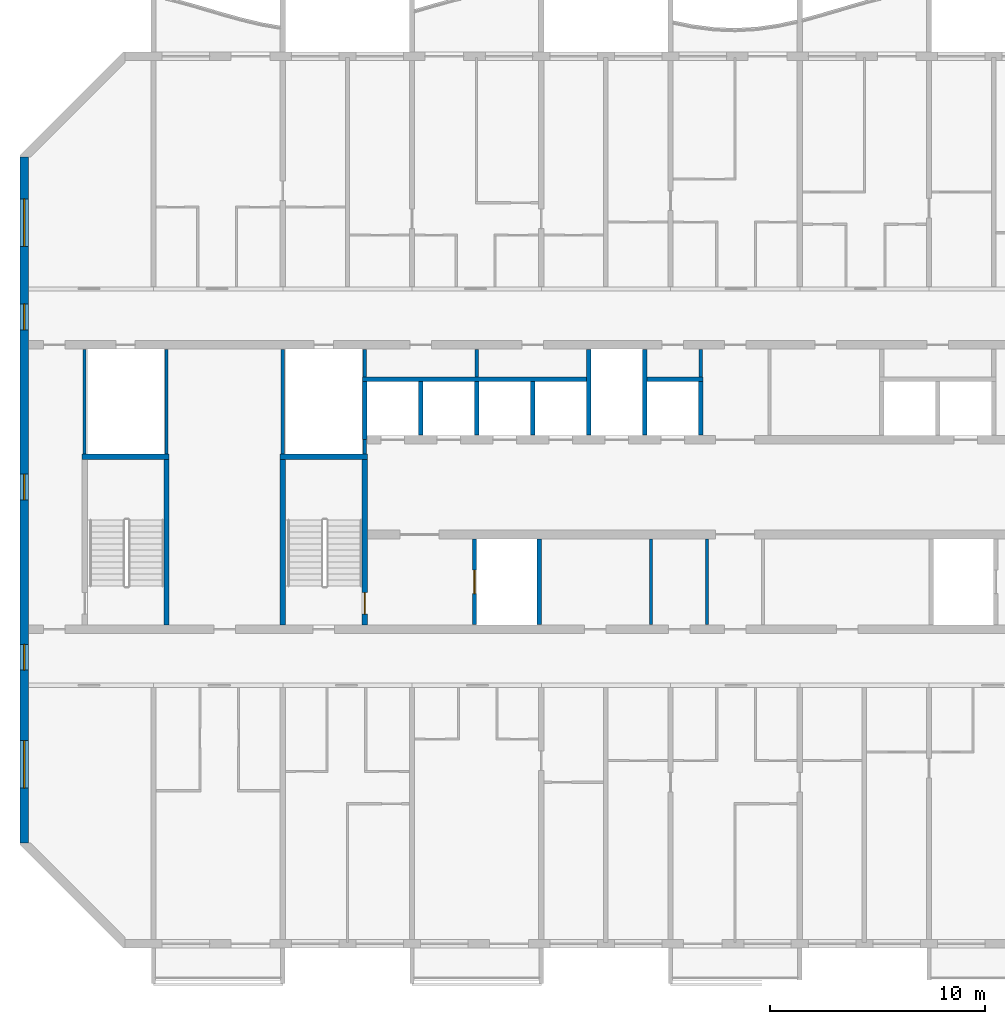
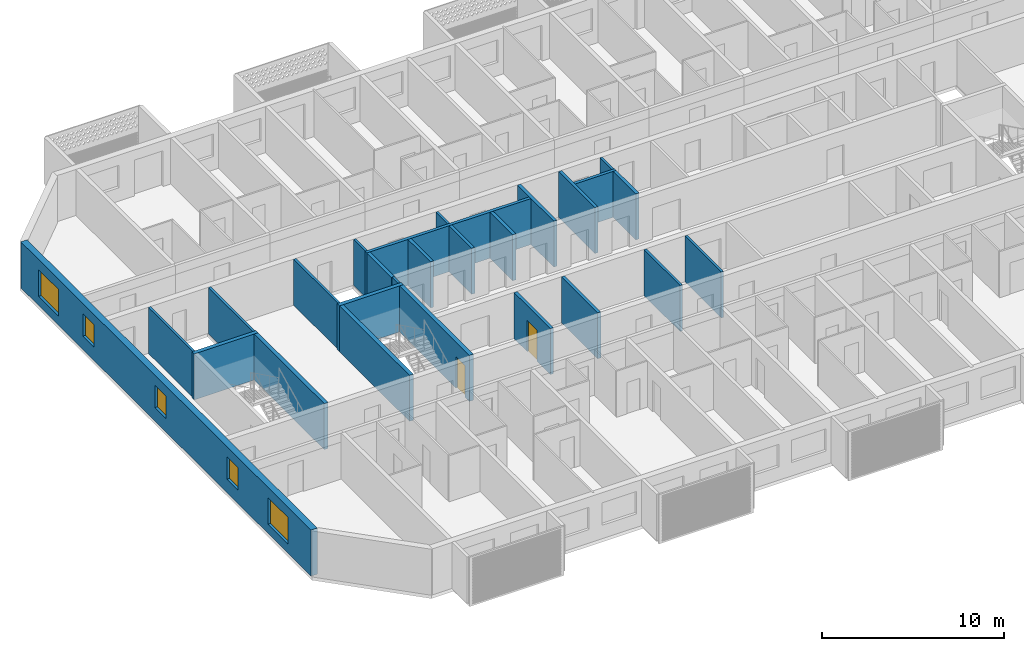
# One storey, part 3 of 26: 26 walls, 5 windows, 2 doors, 7 openings.
"""IFC4 building model written with IfcOpenShell, lengths in metres."""

from ifc_helpers import new_model, si_unit, direction, frame, frame_2d, origin, place, context, subcontext, project, spatial, rectangle, extrude, material, layer, layer_set, type_object, element, fill, save


model = new_model("IFC4")

# Units and contexts
model_context = context("Model", 3, precision=1e-05, world=origin(), true_north=direction((0.0, 1.0)))
body_context = subcontext(model_context, "Body", "Model", "MODEL_VIEW")
ifc_project = project(units=[si_unit("LENGTHUNIT", "METRE"), si_unit("AREAUNIT", "SQUARE_METRE"), si_unit("VOLUMEUNIT", "CUBIC_METRE"), si_unit("PLANEANGLEUNIT", "RADIAN"), si_unit("MASSUNIT", "GRAM", prefix="KILO")], contexts=[model_context])

# Site, building, storey
site_placement = place(None, origin())
site = spatial("IfcSite", under=ifc_project, at=site_placement, CompositionType="ELEMENT")
building_placement = place(site_placement, origin())
building = spatial("IfcBuilding", under=site, at=building_placement, Name="Poui Terraces", CompositionType="ELEMENT")
storey_placement = place(building_placement, frame((0.0, 0.0, 175.199951171875)))
storey = spatial("IfcBuildingStorey", under=building, at=storey_placement, Name="L48", CompositionType="ELEMENT", Elevation=175.199951171875)

# Walls
ifc_material_1 = material(Name="Fire-rated plasterboard wall")
ifc_layer_1 = layer(ifc_material_1, 0.14990234375)
ifc_layer_set_1 = layer_set([ifc_layer_1], Name="Fire-rated plasterboard wall")
wall_type_1 = type_object("IfcWallType", Name="CORRIDOR WALL 150", PredefinedType="PARTITIONING", material=ifc_layer_set_1)
wall_1_placement = place(storey_placement, frame((49.39990234375, 26.300048828125, 0.0), z_axis=(0.0, 0.0, 1.0), x_axis=(0.0, 1.0, 0.0)))
element("IfcWall", 1, at=wall_1_placement, inside=storey, type_object=wall_type_1, Name="CORRIDOR WALL 150", PredefinedType="PARTITIONING", context=body_context, shape_type="SweptSolid", body=[
    extrude(rectangle(XDim=1.2900390625, YDim=0.14990234375, at=frame_2d((0.64501953125, 0.0))), origin(), (0.0, 0.0, 1.0), 3.080078125),
])
wall_2_placement = place(storey_placement, frame((49.699951171875, 14.81005859375, 0.0), z_axis=(0.0, 0.0, 1.0), x_axis=(0.0, 1.0, 0.0)))
element("IfcWall", 2, at=wall_2_placement, inside=storey, type_object=wall_type_1, Name="CORRIDOR WALL 150", PredefinedType="PARTITIONING", context=body_context, shape_type="SweptSolid", body=[
    extrude(rectangle(XDim=3.97998046875, YDim=0.14990234375, at=frame_2d((1.989990234375, 0.0))), origin(), (0.0, 0.0, 1.0), 3.080078125),
])

# Wall, openings, windows
ifc_material_2 = material(Name="Concrete 50 MPa", Category="concrete")
ifc_layer_2 = layer(ifc_material_2, 0.39990234375)
ifc_layer_set_2 = layer_set([ifc_layer_2], Name="Concrete 50 MPa")
wall_type_2 = type_object("IfcWallType", Name="END WALL 400 50MPa", PredefinedType="SHEAR", material=ifc_layer_set_2)
wall_3_placement = place(storey_placement, frame((18.0, 4.682861328125, 0.0), z_axis=(0.0, 0.0, 1.0), x_axis=(0.0, 1.0, 0.0)))
wall_3 = element("IfcWall", 3, at=wall_3_placement, inside=storey, type_object=wall_type_2, Name="END WALL WEST", PredefinedType="SHEAR", context=body_context, shape_type="SweptSolid", body=[
    extrude(rectangle(XDim=31.834228515625, YDim=0.39990234375, at=frame_2d((15.9169921875, 0.0))), origin(), (0.0, 0.0, 1.0), 3.080078125),
])
opening_1_placement = place(wall_3_placement, frame((23.817138671875, 0.0, 0.89990234375)))
opening_1 = element("IfcOpeningElement", 4, at=opening_1_placement, cuts=wall_3, Name="Opening W2", PredefinedType="OPENING", context=body_context, shape_type="SweptSolid", body=[
    extrude(rectangle(XDim=1.199951171875, YDim=1.5, at=frame_2d((0.60009765625, 0.75))), frame((0.0, 0.2099609375, 0.0), z_axis=(0.0, -1.0, 0.0), x_axis=(1.0, 0.0, 0.0)), (0.0, 0.0, 1.0), 0.419921875),
])
opening_2_placement = place(wall_3_placement, frame((8.01708984375, 0.0, 0.89990234375)))
opening_2 = element("IfcOpeningElement", 5, at=opening_2_placement, cuts=wall_3, Name="Opening W2", PredefinedType="OPENING", context=body_context, shape_type="SweptSolid", body=[
    extrude(rectangle(XDim=1.199951171875, YDim=1.5, at=frame_2d((0.60009765625, 0.75))), frame((0.0, 0.2099609375, 0.0), z_axis=(0.0, -1.0, 0.0), x_axis=(1.0, 0.0, 0.0)), (0.0, 0.0, 1.0), 0.419921875),
])
opening_3_placement = place(wall_3_placement, frame((27.693603515625, 0.0, 0.60009765625)))
opening_3 = element("IfcOpeningElement", 6, at=opening_3_placement, cuts=wall_3, Name="Opening W3", PredefinedType="OPENING", context=body_context, shape_type="SweptSolid", body=[
    extrude(rectangle(XDim=2.199951171875, YDim=1.800048828125, at=frame_2d((1.10009765625, 0.89990234375))), frame((0.0, 0.2099609375, 0.0), z_axis=(0.0, -1.0, 0.0), x_axis=(1.0, 0.0, 0.0)), (0.0, 0.0, 1.0), 0.419921875),
])
opening_4_placement = place(wall_3_placement, frame((2.541015625, 0.0, 0.60009765625)))
opening_4 = element("IfcOpeningElement", 7, at=opening_4_placement, cuts=wall_3, Name="Opening W3", PredefinedType="OPENING", context=body_context, shape_type="SweptSolid", body=[
    extrude(rectangle(XDim=2.199951171875, YDim=1.800048828125, at=frame_2d((1.10009765625, 0.89990234375))), frame((0.0, 0.2099609375, 0.0), z_axis=(0.0, -1.0, 0.0), x_axis=(1.0, 0.0, 0.0)), (0.0, 0.0, 1.0), 0.419921875),
])
opening_5_placement = place(wall_3_placement, frame((15.917236328125, 0.0, 0.89990234375)))
opening_5 = element("IfcOpeningElement", 8, at=opening_5_placement, cuts=wall_3, Name="Opening W2", PredefinedType="OPENING", context=body_context, shape_type="SweptSolid", body=[
    extrude(rectangle(XDim=1.199951171875, YDim=1.5, at=frame_2d((0.60009765625, 0.75))), frame((0.0, 0.2099609375, 0.0), z_axis=(0.0, -1.0, 0.0), x_axis=(1.0, 0.0, 0.0)), (0.0, 0.0, 1.0), 0.419921875),
])
ifc_material_3 = material(Name="Clear glass in aluminium frame", Category="aluminium")
window_type_1 = type_object("IfcWindowType", Name="WINDOW 1200X1500", PartitioningType="SINGLE_PANEL", PredefinedType="WINDOW", material=ifc_material_3)
window_1_placement = place(opening_1_placement, origin())
window_1 = element("IfcWindow", 9, at=window_1_placement, inside=storey, type_object=window_type_1, Name="W2 WINDOW", OverallHeight=1.5, OverallWidth=1.199951171875, PartitioningType="SINGLE_PANEL", PredefinedType="WINDOW", context=body_context, shape_type="SweptSolid", body=[
    extrude(rectangle(XDim=1.199951171875, YDim=1.5, at=frame_2d((0.60009765625, 0.75))), frame((0.0, 0.030029296875, 0.0), z_axis=(0.0, -1.0, 0.0), x_axis=(1.0, 0.0, 0.0)), (0.0, 0.0, 1.0), 0.06005859375),
])
fill(opening_1, window_1)
window_2_placement = place(opening_2_placement, origin())
window_2 = element("IfcWindow", 10, at=window_2_placement, inside=storey, type_object=window_type_1, Name="W2 WINDOW", OverallHeight=1.5, OverallWidth=1.199951171875, PartitioningType="SINGLE_PANEL", PredefinedType="WINDOW", context=body_context, shape_type="SweptSolid", body=[
    extrude(rectangle(XDim=1.199951171875, YDim=1.5, at=frame_2d((0.60009765625, 0.75))), frame((0.0, 0.030029296875, 0.0), z_axis=(0.0, -1.0, 0.0), x_axis=(1.0, 0.0, 0.0)), (0.0, 0.0, 1.0), 0.06005859375),
])
fill(opening_2, window_2)
window_3_placement = place(opening_5_placement, origin())
window_3 = element("IfcWindow", 11, at=window_3_placement, inside=storey, type_object=window_type_1, Name="W2 WINDOW", OverallHeight=1.5, OverallWidth=1.199951171875, PartitioningType="SINGLE_PANEL", PredefinedType="WINDOW", context=body_context, shape_type="SweptSolid", body=[
    extrude(rectangle(XDim=1.199951171875, YDim=1.5, at=frame_2d((0.60009765625, 0.75))), frame((0.0, 0.030029296875, 0.0), z_axis=(0.0, -1.0, 0.0), x_axis=(1.0, 0.0, 0.0)), (0.0, 0.0, 1.0), 0.06005859375),
])
fill(opening_5, window_3)
window_type_2 = type_object("IfcWindowType", Name="WINDOW 2200X1800", PartitioningType="DOUBLE_PANEL_HORIZONTAL", PredefinedType="WINDOW", material=ifc_material_3)
window_4_placement = place(opening_3_placement, origin())
window_4 = element("IfcWindow", 12, at=window_4_placement, inside=storey, type_object=window_type_2, Name="W3 WINDOW", OverallHeight=1.800048828125, OverallWidth=2.199951171875, PartitioningType="DOUBLE_PANEL_HORIZONTAL", PredefinedType="WINDOW", context=body_context, shape_type="SweptSolid", body=[
    extrude(rectangle(XDim=2.199951171875, YDim=1.800048828125, at=frame_2d((1.10009765625, 0.89990234375))), frame((0.0, 0.030029296875, 0.0), z_axis=(0.0, -1.0, 0.0), x_axis=(1.0, 0.0, 0.0)), (0.0, 0.0, 1.0), 0.06005859375),
])
fill(opening_3, window_4)
window_5_placement = place(opening_4_placement, origin())
window_5 = element("IfcWindow", 13, at=window_5_placement, inside=storey, type_object=window_type_2, Name="W3 WINDOW", OverallHeight=1.800048828125, OverallWidth=2.199951171875, PartitioningType="DOUBLE_PANEL_HORIZONTAL", PredefinedType="WINDOW", context=body_context, shape_type="SweptSolid", body=[
    extrude(rectangle(XDim=2.199951171875, YDim=1.800048828125, at=frame_2d((1.10009765625, 0.89990234375))), frame((0.0, 0.030029296875, 0.0), z_axis=(0.0, -1.0, 0.0), x_axis=(1.0, 0.0, 0.0)), (0.0, 0.0, 1.0), 0.06005859375),
])
fill(opening_4, window_5)

# Walls
ifc_material_4 = material(Name="Plasterboard partition")
ifc_layer_3 = layer(ifc_material_4, 0.14990234375)
ifc_layer_set_3 = layer_set([ifc_layer_3], Name="Plasterboard partition")
wall_type_3 = type_object("IfcWallType", Name="PARTITION WALL 150", PredefinedType="PARTITIONING", material=ifc_layer_set_3)
wall_4_placement = place(storey_placement, frame((39.0, 26.300048828125, 0.0), z_axis=(0.0, 0.0, 1.0), x_axis=(0.0, 1.0, 0.0)))
element("IfcWall", 14, at=wall_4_placement, inside=storey, type_object=wall_type_3, Name="PARTITION WALL 150", PredefinedType="PARTITIONING", context=body_context, shape_type="SweptSolid", body=[
    extrude(rectangle(XDim=1.2900390625, YDim=0.14990234375, at=frame_2d((0.64501953125, 0.0))), origin(), (0.0, 0.0, 1.0), 3.080078125),
])
wall_5_placement = place(storey_placement, frame((47.10009765625, 14.81005859375, 0.0), z_axis=(0.0, 0.0, 1.0), x_axis=(0.0, 1.0, 0.0)))
element("IfcWall", 15, at=wall_5_placement, inside=storey, type_object=wall_type_3, Name="PARTITION WALL 150", PredefinedType="PARTITIONING", context=body_context, shape_type="SweptSolid", body=[
    extrude(rectangle(XDim=3.97998046875, YDim=0.14990234375, at=frame_2d((1.989990234375, 0.0))), origin(), (0.0, 0.0, 1.0), 3.080078125),
])
ifc_material_5 = material(Name="Fire-rated plasterboard riser wall")
ifc_layer_4 = layer(ifc_material_5, 0.14990234375)
ifc_layer_set_4 = layer_set([ifc_layer_4], Name="Fire-rated plasterboard riser wall")
wall_type_4 = type_object("IfcWallType", Name="RISER WALL 150", PredefinedType="PARTITIONING", material=ifc_layer_set_4)
for number, where, z_axis, x_axis, name in (
    (16, (20.800048828125, 22.735107421875, 0.0), (0.0, 0.0, 1.0), (0.0, 1.0, 0.0), "RISER WALL 150"),
    (17, (24.60009765625, 22.735107421875, 0.0), (0.0, 0.0, 1.0), (0.0, 1.0, 0.0), "RISER WALL 150"),
    (18, (30.0, 22.735107421875, 0.0), (0.0, 0.0, 1.0), (0.0, 1.0, 0.0), "RISER WALL 150"),
):
    element("IfcWall", number, at=place(storey_placement, frame(where, z_axis=z_axis, x_axis=x_axis)), inside=storey, type_object=wall_type_4, Name=name, PredefinedType="PARTITIONING", context=body_context, shape_type="SweptSolid", body=[
        extrude(rectangle(XDim=4.85498046875, YDim=0.14990234375, at=frame_2d((2.427490234375, 0.0))), origin(), (0.0, 0.0, 1.0), 3.080078125),
    ])
wall_6_placement = place(storey_placement, frame((33.800048828125, 22.735107421875, 0.0), z_axis=(0.0, 0.0, 1.0), x_axis=(0.0, 1.0, 0.0)))
element("IfcWall", 19, at=wall_6_placement, inside=storey, type_object=wall_type_4, Name="RISER WALL 150", PredefinedType="PARTITIONING", context=body_context, shape_type="SweptSolid", body=[
    extrude(rectangle(XDim=0.664794921875, YDim=0.14990234375, at=frame_2d((0.33251953125, 0.0))), origin(), (0.0, 0.0, 1.0), 3.080078125),
])
wall_7_placement = place(storey_placement, frame((33.800048828125, 26.300048828125, 0.0), z_axis=(0.0, 0.0, 1.0), x_axis=(0.0, 1.0, 0.0)))
element("IfcWall", 20, at=wall_7_placement, inside=storey, type_object=wall_type_4, Name="RISER WALL 150", PredefinedType="PARTITIONING", context=body_context, shape_type="SweptSolid", body=[
    extrude(rectangle(XDim=1.2900390625, YDim=0.14990234375, at=frame_2d((0.64501953125, 0.0))), origin(), (0.0, 0.0, 1.0), 3.080078125),
])
ifc_material_6 = material(Name="Fire-rated masonry shaft wall", Category="masonry")
ifc_layer_5 = layer(ifc_material_6, 0.199951171875)
ifc_layer_set_5 = layer_set([ifc_layer_5], Name="Fire-rated masonry shaft wall")
wall_type_5 = type_object("IfcWallType", Name="SHAFT WALL 200", PredefinedType="PARTITIONING", material=ifc_layer_set_5)
wall_8_placement = place(storey_placement, frame((33.699951171875, 26.199951171875, 0.0), z_axis=(0.0, 0.0, 1.0), x_axis=(1.0, 0.0, 0.0)))
element("IfcWall", 21, at=wall_8_placement, inside=storey, type_object=wall_type_5, Name="SHAFT WALL 200", PredefinedType="PARTITIONING", context=body_context, shape_type="SweptSolid", body=[
    extrude(rectangle(XDim=10.400146484375, YDim=0.199951171875, at=frame_2d((5.2001953125, 0.0))), origin(), (0.0, 0.0, 1.0), 3.080078125),
])
wall_9_placement = place(storey_placement, frame((46.89990234375, 26.199951171875, 0.0), z_axis=(0.0, 0.0, 1.0), x_axis=(1.0, 0.0, 0.0)))
element("IfcWall", 22, at=wall_9_placement, inside=storey, type_object=wall_type_5, Name="SHAFT WALL 200", PredefinedType="PARTITIONING", context=body_context, shape_type="SweptSolid", body=[
    extrude(rectangle(XDim=2.60009765625, YDim=0.199951171875, at=frame_2d((1.300048828125, 0.0))), origin(), (0.0, 0.0, 1.0), 3.080078125),
])
wall_10_placement = place(storey_placement, frame((33.800048828125, 23.39990234375, 0.0), z_axis=(0.0, 0.0, 1.0), x_axis=(0.0, 1.0, 0.0)))
element("IfcWall", 23, at=wall_10_placement, inside=storey, type_object=wall_type_5, Name="SHAFT WALL 200", PredefinedType="PARTITIONING", context=body_context, shape_type="SweptSolid", body=[
    extrude(rectangle(XDim=2.7001953125, YDim=0.199951171875, at=frame_2d((1.35009765625, 0.0))), origin(), (0.0, 0.0, 1.0), 3.080078125),
])
wall_11_placement = place(storey_placement, frame((36.39990234375, 23.610107421875, 0.0), z_axis=(0.0, 0.0, 1.0), x_axis=(0.0, 1.0, 0.0)))
element("IfcWall", 24, at=wall_11_placement, inside=storey, type_object=wall_type_5, Name="SHAFT WALL 200", PredefinedType="PARTITIONING", context=body_context, shape_type="SweptSolid", body=[
    extrude(rectangle(XDim=2.489990234375, YDim=0.199951171875, at=frame_2d((1.2451171875, 0.0))), origin(), (0.0, 0.0, 1.0), 3.080078125),
])

# Wall, opening, door
wall_12_placement = place(storey_placement, frame((38.89990234375, 14.81005859375, 0.0), z_axis=(0.0, 0.0, 1.0), x_axis=(0.0, 1.0, 0.0)))
wall_12 = element("IfcWall", 25, at=wall_12_placement, inside=storey, type_object=wall_type_5, Name="SHAFT WALL 200", PredefinedType="PARTITIONING", context=body_context, shape_type="SweptSolid", body=[
    extrude(rectangle(XDim=3.97998046875, YDim=0.199951171875, at=frame_2d((1.989990234375, 0.0))), origin(), (0.0, 0.0, 1.0), 3.080078125),
])
opening_6_placement = place(wall_12_placement, frame((1.43994140625, 0.0, 0.0)))
opening_6 = element("IfcOpeningElement", 26, at=opening_6_placement, cuts=wall_12, Name="Opening LD", PredefinedType="OPENING", context=body_context, shape_type="SweptSolid", body=[
    extrude(rectangle(XDim=1.10009765625, YDim=2.10009765625, at=frame_2d((0.550048828125, 1.050048828125))), frame((0.0, 0.10986328125, 0.0), z_axis=(0.0, -1.0, 0.0), x_axis=(1.0, 0.0, 0.0)), (0.0, 0.0, 1.0), 0.219970703125),
])
ifc_material_7 = material(Name="Stainless steel sliding door", Category="steel")
door_type_1 = type_object("IfcDoorType", Name="LIFT LANDING DOOR 1100 X 2100", OperationType="DOUBLE_DOOR_SLIDING", PredefinedType="DOOR", material=ifc_material_7)
door_1_placement = place(opening_6_placement, origin())
door_1 = element("IfcDoor", 27, at=door_1_placement, inside=storey, type_object=door_type_1, Name="LANDING DOOR", OperationType="DOUBLE_DOOR_SLIDING", OverallHeight=2.10009765625, OverallWidth=1.10009765625, PredefinedType="DOOR", context=body_context, shape_type="SweptSolid", body=[
    extrude(rectangle(XDim=1.10009765625, YDim=2.10009765625, at=frame_2d((0.550048828125, 1.050048828125))), frame((0.0, 0.02490234375, 0.0), z_axis=(0.0, -1.0, 0.0), x_axis=(1.0, 0.0, 0.0)), (0.0, 0.0, 1.0), 0.050048828125),
])
fill(opening_6, door_1)

# Walls
for number, where, z_axis, x_axis, name in (
    (28, (39.0, 23.610107421875, 0.0), (0.0, 0.0, 1.0), (0.0, 1.0, 0.0), "SHAFT WALL 200"),
    (29, (41.60009765625, 23.610107421875, 0.0), (0.0, 0.0, 1.0), (0.0, 1.0, 0.0), "SHAFT WALL 200"),
):
    element("IfcWall", number, at=place(storey_placement, frame(where, z_axis=z_axis, x_axis=x_axis)), inside=storey, type_object=wall_type_5, Name=name, PredefinedType="PARTITIONING", context=body_context, shape_type="SweptSolid", body=[
        extrude(rectangle(XDim=2.489990234375, YDim=0.199951171875, at=frame_2d((1.2451171875, 0.0))), origin(), (0.0, 0.0, 1.0), 3.080078125),
    ])
for number, where, z_axis, x_axis, name in (
    (30, (41.89990234375, 14.81005859375, 0.0), (0.0, 0.0, 1.0), (0.0, 1.0, 0.0), "SHAFT WALL 200"),
    (31, (44.199951171875, 23.610107421875, 0.0), (0.0, 0.0, 1.0), (0.0, 1.0, 0.0), "SHAFT WALL 200"),
    (32, (46.800048828125, 23.610107421875, 0.0), (0.0, 0.0, 1.0), (0.0, 1.0, 0.0), "SHAFT WALL 200"),
):
    element("IfcWall", number, at=place(storey_placement, frame(where, z_axis=z_axis, x_axis=x_axis)), inside=storey, type_object=wall_type_5, Name=name, PredefinedType="PARTITIONING", context=body_context, shape_type="SweptSolid", body=[
        extrude(rectangle(XDim=3.97998046875, YDim=0.199951171875, at=frame_2d((1.989990234375, 0.0))), origin(), (0.0, 0.0, 1.0), 3.080078125),
    ])
wall_13_placement = place(storey_placement, frame((49.39990234375, 23.610107421875, 0.0), z_axis=(0.0, 0.0, 1.0), x_axis=(0.0, 1.0, 0.0)))
element("IfcWall", 33, at=wall_13_placement, inside=storey, type_object=wall_type_5, Name="SHAFT WALL 200", PredefinedType="PARTITIONING", context=body_context, shape_type="SweptSolid", body=[
    extrude(rectangle(XDim=2.489990234375, YDim=0.199951171875, at=frame_2d((1.2451171875, 0.0))), origin(), (0.0, 0.0, 1.0), 3.080078125),
])
ifc_layer_6 = layer(ifc_material_2, 0.25)
ifc_layer_set_6 = layer_set([ifc_layer_6], Name="Concrete 50 MPa")
wall_type_6 = type_object("IfcWallType", Name="STAIR CORE WALL 250 50 MPA", PredefinedType="SOLIDWALL", material=ifc_layer_set_6)
wall_14_placement = place(storey_placement, frame((30.0, 14.800048828125, 0.0), z_axis=(0.0, 0.0, 1.0), x_axis=(0.0, 1.0, 0.0)))
element("IfcWall", 34, at=wall_14_placement, inside=storey, type_object=wall_type_6, Name="STAIR CORE WALL", PredefinedType="SOLIDWALL", context=body_context, shape_type="SweptSolid", body=[
    extrude(rectangle(XDim=7.675048828125, YDim=0.25, at=frame_2d((3.83740234375, 0.0))), origin(), (0.0, 0.0, 1.0), 3.080078125),
])

# Wall, opening, door
wall_15_placement = place(storey_placement, frame((33.800048828125, 14.800048828125, 0.0), z_axis=(0.0, 0.0, 1.0), x_axis=(0.0, 1.0, 0.0)))
wall_15 = element("IfcWall", 35, at=wall_15_placement, inside=storey, type_object=wall_type_6, Name="STAIR CORE WALL", PredefinedType="SOLIDWALL", context=body_context, shape_type="SweptSolid", body=[
    extrude(rectangle(XDim=7.675048828125, YDim=0.25, at=frame_2d((3.83740234375, 0.0))), origin(), (0.0, 0.0, 1.0), 3.080078125),
])
opening_7_placement = place(wall_15_placement, frame((0.5, 0.0, 0.0)))
opening_7 = element("IfcOpeningElement", 36, at=opening_7_placement, cuts=wall_15, Name="Opening FD60S", PredefinedType="OPENING", context=body_context, shape_type="SweptSolid", body=[
    extrude(rectangle(XDim=1.0, YDim=2.10009765625, at=frame_2d((0.5, 1.050048828125))), frame((0.0, 0.135009765625, 0.0), z_axis=(0.0, -1.0, 0.0), x_axis=(1.0, 0.0, 0.0)), (0.0, 0.0, 1.0), 0.27001953125),
])
ifc_material_8 = material(Name="Steel fire door", Category="steel")
door_type_2 = type_object("IfcDoorType", Name="STAIR DOOR 1000 X 2100", OperationType="NOTDEFINED", PredefinedType="DOOR", material=ifc_material_8)
door_2_placement = place(opening_7_placement, origin())
door_2 = element("IfcDoor", 37, at=door_2_placement, inside=storey, type_object=door_type_2, Name="STAIR DOOR 097", OperationType="SINGLE_SWING_LEFT", OverallHeight=2.10009765625, OverallWidth=1.0, PredefinedType="DOOR", context=body_context, shape_type="SweptSolid", body=[
    extrude(rectangle(XDim=1.0, YDim=2.10009765625, at=frame_2d((0.5, 1.050048828125))), frame((0.0, 0.02490234375, 0.0), z_axis=(0.0, -1.0, 0.0), x_axis=(1.0, 0.0, 0.0)), (0.0, 0.0, 1.0), 0.050048828125),
])
fill(opening_7, door_2)

# Walls
wall_16_placement = place(storey_placement, frame((29.875, 22.60009765625, 0.0), z_axis=(0.0, 0.0, 1.0), x_axis=(1.0, 0.0, 0.0)))
element("IfcWall", 38, at=wall_16_placement, inside=storey, type_object=wall_type_6, Name="STAIR CORE WALL", PredefinedType="SOLIDWALL", context=body_context, shape_type="SweptSolid", body=[
    extrude(rectangle(XDim=4.050048828125, YDim=0.25, at=frame_2d((2.02490234375, 0.0))), origin(), (0.0, 0.0, 1.0), 3.080078125),
])
wall_17_placement = place(storey_placement, frame((24.60009765625, 14.800048828125, 0.0), z_axis=(0.0, 0.0, 1.0), x_axis=(0.0, 1.0, 0.0)))
element("IfcWall", 39, at=wall_17_placement, inside=storey, type_object=wall_type_6, Name="STAIR CORE WALL", PredefinedType="SOLIDWALL", context=body_context, shape_type="SweptSolid", body=[
    extrude(rectangle(XDim=7.675048828125, YDim=0.25, at=frame_2d((3.83740234375, 0.0))), origin(), (0.0, 0.0, 1.0), 3.080078125),
])
wall_18_placement = place(storey_placement, frame((20.675048828125, 22.60009765625, 0.0), z_axis=(0.0, 0.0, 1.0), x_axis=(1.0, 0.0, 0.0)))
element("IfcWall", 40, at=wall_18_placement, inside=storey, type_object=wall_type_6, Name="STAIR CORE WALL", PredefinedType="SOLIDWALL", context=body_context, shape_type="SweptSolid", body=[
    extrude(rectangle(XDim=4.050048828125, YDim=0.25, at=frame_2d((2.02490234375, 0.0))), origin(), (0.0, 0.0, 1.0), 3.080078125),
])

save(model, "model.ifc")
